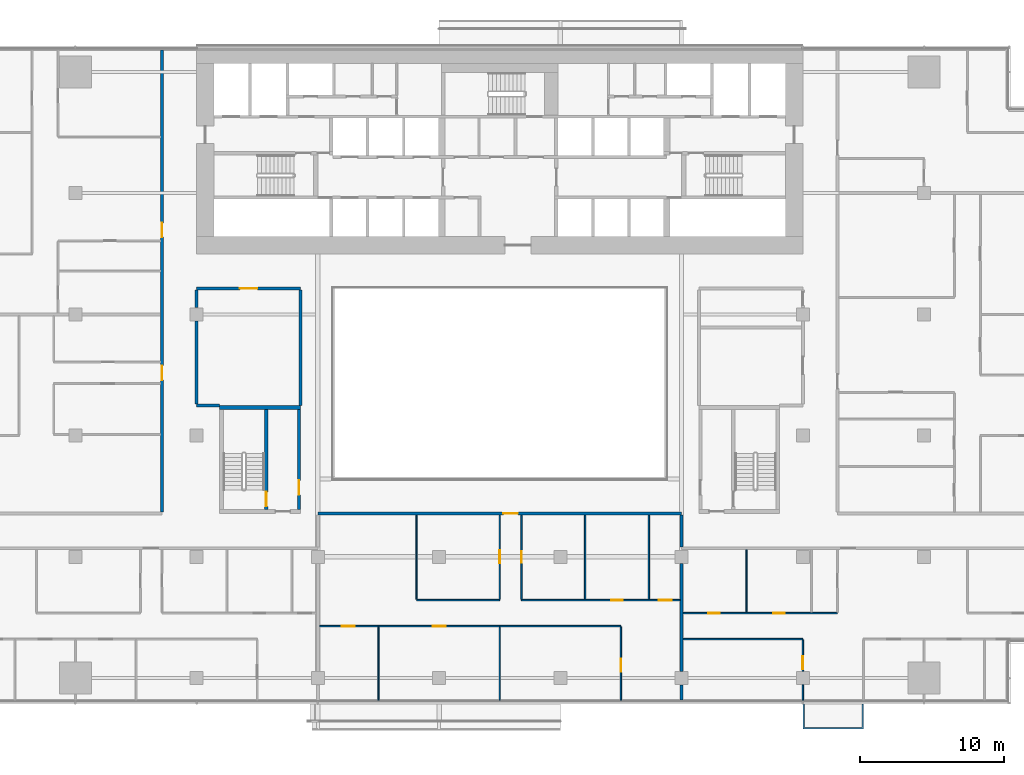
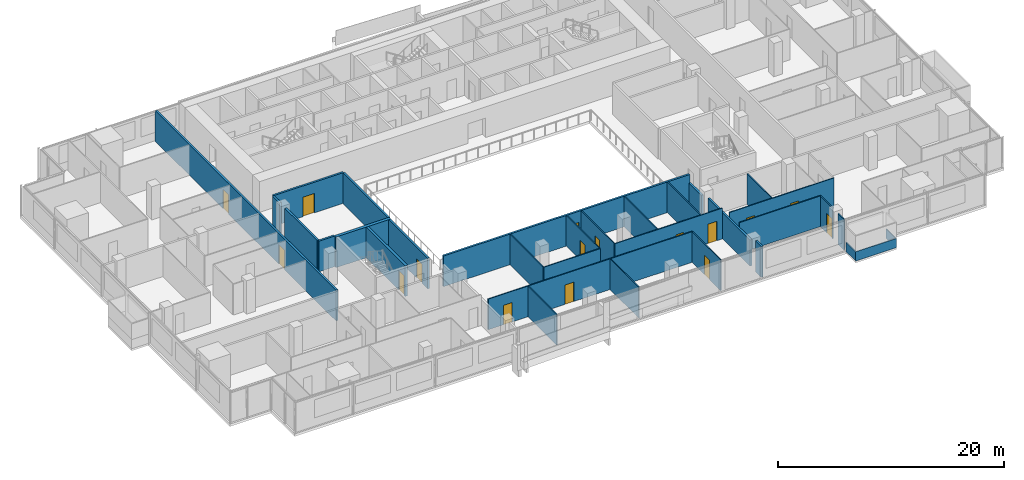
# One storey, part 18 of 26: 30 walls, 16 doors, 16 openings.
"""IFC4 building model written with IfcOpenShell, lengths in metres."""

from ifc_helpers import new_model, si_unit, direction, frame, frame_2d, origin, place, context, subcontext, project, spatial, polyline, rectangle, outline, extrude, material, layer, layer_set, type_object, element, fill, save


model = new_model("IFC4")

# Units and contexts
model_context = context("Model", 3, precision=1e-05, world=origin(), true_north=direction((0.0, 1.0)))
body_context = subcontext(model_context, "Body", "Model", "MODEL_VIEW")
ifc_project = project(units=[si_unit("LENGTHUNIT", "METRE"), si_unit("AREAUNIT", "SQUARE_METRE"), si_unit("VOLUMEUNIT", "CUBIC_METRE"), si_unit("PLANEANGLEUNIT", "RADIAN"), si_unit("MASSUNIT", "GRAM", prefix="KILO")], contexts=[model_context])

# Site, building, storey
site_placement = place(None, origin())
site = spatial("IfcSite", under=ifc_project, at=site_placement, CompositionType="ELEMENT")
building_placement = place(site_placement, origin())
building = spatial("IfcBuilding", under=site, at=building_placement, Name="Saffron Gate Tower", CompositionType="ELEMENT")
storey_placement = place(building_placement, frame((0.0, 0.0, 62.39990234375)))
storey = spatial("IfcBuildingStorey", under=building, at=storey_placement, Name="L14", CompositionType="ELEMENT", Elevation=62.39990234375)

# Wall, opening, door
ifc_material_1 = material(Name="Gypsum board partition on steel studs", Category="steel")
ifc_layer_1 = layer(ifc_material_1, 0.199951171875)
ifc_layer_set_1 = layer_set([ifc_layer_1], Name="CW10 Core partition 200")
wall_type_1 = type_object("IfcWallType", Name="CW10 Core partition 200", PredefinedType="PARTITIONING", material=ifc_layer_set_1)
wall_1_placement = place(storey_placement, frame((73.699951171875, 43.5, 0.0), z_axis=(0.0, 0.0, 1.0), x_axis=(0.0, 1.0, 0.0)))
wall_1 = element("IfcWall", 1, at=wall_1_placement, inside=storey, type_object=wall_type_1, Name="Wall CW10-L14-D-4", PredefinedType="PARTITIONING", context=body_context, shape_type="SweptSolid", body=[
    extrude(rectangle(XDim=6.89990234375, YDim=0.199951171875, at=frame_2d((3.449951171875, 0.0))), origin(), (0.0, 0.0, 1.0), 3.320068359375),
])
opening_1_placement = place(wall_1_placement, frame((1.0, 0.0, 0.0)))
opening_1 = element("IfcOpeningElement", 2, at=opening_1_placement, cuts=wall_1, Name="Opening CR-19", PredefinedType="OPENING", context=body_context, shape_type="SweptSolid", body=[
    extrude(rectangle(XDim=1.0, YDim=2.10009765625, at=frame_2d((0.5, 1.050048828125))), frame((0.0, 0.10986328125, 0.0), z_axis=(0.0, -1.0, 0.0), x_axis=(1.0, 0.0, 0.0)), (0.0, 0.0, 1.0), 0.219970703125),
])
ifc_material_2 = material(Name="Steel fire door set", Category="steel")
door_type_1 = type_object("IfcDoorType", Name="CD4 Lobby door 1000x2100 EI 120", OperationType="NOTDEFINED", PredefinedType="DOOR", material=ifc_material_2)
door_1_placement = place(opening_1_placement, origin())
door_1 = element("IfcDoor", 3, at=door_1_placement, inside=storey, type_object=door_type_1, Name="DOOR CR-19", OperationType="SINGLE_SWING_RIGHT", OverallHeight=2.10009765625, OverallWidth=1.0, PredefinedType="DOOR", context=body_context, shape_type="SweptSolid", body=[
    extrude(rectangle(XDim=1.0, YDim=2.10009765625, at=frame_2d((0.5, 1.050048828125))), frame((0.0, 0.02490234375, 0.0), z_axis=(0.0, -1.0, 0.0), x_axis=(1.0, 0.0, 0.0)), (0.0, 0.0, 1.0), 0.050048828125),
])
fill(opening_1, door_1)

ifc_material_3 = material(Name="Concrete C70", Category="concrete")
ifc_layer_2 = layer(ifc_material_3, 0.25)
ifc_layer_set_2 = layer_set([ifc_layer_2], Name="CW2 RC core wall 250 C70")
wall_type_2 = type_object("IfcWallType", Name="CW2 RC core wall 250 C70", PredefinedType="SOLIDWALL", material=ifc_layer_set_2)
wall_2_placement = place(storey_placement, frame((71.425048828125, 43.5, 0.0), z_axis=(0.0, 0.0, 1.0), x_axis=(0.0, 1.0, 0.0)))
wall_2 = element("IfcWall", 4, at=wall_2_placement, inside=storey, type_object=wall_type_2, Name="Wall CW2-L14-D-3", PredefinedType="SOLIDWALL", context=body_context, shape_type="SweptSolid", body=[
    extrude(rectangle(XDim=6.89990234375, YDim=0.25, at=frame_2d((3.449951171875, 0.0))), origin(), (0.0, 0.0, 1.0), 3.320068359375),
])
opening_2_placement = place(wall_2_placement, frame((0.199951171875, 0.0, 0.0)))
opening_2 = element("IfcOpeningElement", 5, at=opening_2_placement, cuts=wall_2, Name="Opening CR-20", PredefinedType="OPENING", context=body_context, shape_type="SweptSolid", body=[
    extrude(rectangle(XDim=1.0, YDim=2.10009765625, at=frame_2d((0.5, 1.050048828125))), frame((0.0, 0.135009765625, 0.0), z_axis=(0.0, -1.0, 0.0), x_axis=(1.0, 0.0, 0.0)), (0.0, 0.0, 1.0), 0.27001953125),
])
door_type_2 = type_object("IfcDoorType", Name="CD5 Stair door 1000x2100 EI 120", OperationType="NOTDEFINED", PredefinedType="DOOR", material=ifc_material_2)
door_2_placement = place(opening_2_placement, origin())
door_2 = element("IfcDoor", 6, at=door_2_placement, inside=storey, type_object=door_type_2, Name="DOOR CR-20", OperationType="SINGLE_SWING_LEFT", OverallHeight=2.10009765625, OverallWidth=1.0, PredefinedType="DOOR", context=body_context, shape_type="SweptSolid", body=[
    extrude(rectangle(XDim=1.0, YDim=2.10009765625, at=frame_2d((0.5, 1.050048828125))), frame((0.0, 0.02490234375, 0.0), z_axis=(0.0, -1.0, 0.0), x_axis=(1.0, 0.0, 0.0)), (0.0, 0.0, 1.0), 0.050048828125),
])
fill(opening_2, door_2)

# Walls
ifc_layer_3 = layer(ifc_material_3, 0.300048828125)
ifc_layer_set_3 = layer_set([ifc_layer_3], Name="CW5 RC core wall 300 C70")
wall_type_3 = type_object("IfcWallType", Name="CW5 RC core wall 300 C70", PredefinedType="SOLIDWALL", material=ifc_layer_set_3)
wall_3_placement = place(storey_placement, frame((68.199951171875, 50.550048828125, 0.0), z_axis=(0.0, 0.0, 1.0), x_axis=(1.0, 0.0, 0.0)))
element("IfcWall", 7, at=wall_3_placement, inside=storey, type_object=wall_type_3, Name="Wall CW5-L14-D-5", PredefinedType="SOLIDWALL", context=body_context, shape_type="SweptSolid", body=[
    extrude(rectangle(XDim=5.60009765625, YDim=0.300048828125, at=frame_2d((2.800048828125, 0.0))), origin(), (0.0, 0.0, 1.0), 3.320068359375),
])
ifc_material_4 = material(Name="Plasterboard on steel studs", Category="steel")
ifc_layer_4 = layer(ifc_material_4, 0.10009765625)
ifc_layer_set_4 = layer_set([ifc_layer_4], Name="PW1 Partition 100")
wall_type_4 = type_object("IfcWallType", Name="PW1 Partition 100", PredefinedType="PARTITIONING", material=ifc_layer_set_4)
wall_4_placement = place(storey_placement, frame((100.300048828125, 34.5, 0.0), z_axis=(0.0, 0.0, 1.0), x_axis=(1.0, 0.0, 0.0)))
element("IfcWall", 8, at=wall_4_placement, inside=storey, type_object=wall_type_4, Name="Partition A3-2", PredefinedType="PARTITIONING", context=body_context, shape_type="SweptSolid", body=[
    extrude(rectangle(XDim=8.300048828125, YDim=0.10009765625, at=frame_2d((4.14990234375, 0.0))), origin(), (0.0, 0.0, 1.0), 3.320068359375),
])

# Wall, openings, doors
wall_5_placement = place(storey_placement, frame((96.0, 35.39990234375, 0.0), z_axis=(0.0, 0.0, 1.0), x_axis=(-1.0, 0.0, 0.0)))
wall_5 = element("IfcWall", 9, at=wall_5_placement, inside=storey, type_object=wall_type_4, Name="Partition A3-4", PredefinedType="PARTITIONING", context=body_context, shape_type="SweptSolid", body=[
    extrude(rectangle(XDim=20.89990234375, YDim=0.10009765625, at=frame_2d((10.449951171875, 0.0))), origin(), (0.0, 0.0, 1.0), 3.320068359375),
])
opening_3_placement = place(wall_5_placement, frame((12.14990234375, 0.0, 0.0)))
opening_3 = element("IfcOpeningElement", 10, at=opening_3_placement, cuts=wall_5, Name="Opening A3-15", PredefinedType="OPENING", context=body_context, shape_type="SweptSolid", body=[
    extrude(rectangle(XDim=0.89990234375, YDim=2.10009765625, at=frame_2d((0.449951171875, 1.050048828125))), frame((0.0, 0.06005859375, 0.0), z_axis=(0.0, -1.0, 0.0), x_axis=(1.0, 0.0, 0.0)), (0.0, 0.0, 1.0), 0.1201171875),
])
opening_4_placement = place(wall_5_placement, frame((18.449951171875, 0.0, 0.0)))
opening_4 = element("IfcOpeningElement", 11, at=opening_4_placement, cuts=wall_5, Name="Opening A3-14", PredefinedType="OPENING", context=body_context, shape_type="SweptSolid", body=[
    extrude(rectangle(XDim=0.89990234375, YDim=2.10009765625, at=frame_2d((0.449951171875, 1.050048828125))), frame((0.0, 0.06005859375, 0.0), z_axis=(0.0, -1.0, 0.0), x_axis=(1.0, 0.0, 0.0)), (0.0, 0.0, 1.0), 0.1201171875),
])
ifc_material_5 = material(Name="Timber door set", Category="wood")
door_type_3 = type_object("IfcDoorType", Name="RD1 Room door 900x2100", OperationType="NOTDEFINED", PredefinedType="DOOR", material=ifc_material_5)
door_3_placement = place(opening_3_placement, origin())
door_3 = element("IfcDoor", 12, at=door_3_placement, inside=storey, type_object=door_type_3, Name="Door A3-15", OperationType="SINGLE_SWING_LEFT", OverallHeight=2.10009765625, OverallWidth=0.89990234375, PredefinedType="DOOR", context=body_context, shape_type="SweptSolid", body=[
    extrude(rectangle(XDim=0.89990234375, YDim=2.10009765625, at=frame_2d((0.449951171875, 1.050048828125))), frame((0.0, 0.02490234375, 0.0), z_axis=(0.0, -1.0, 0.0), x_axis=(1.0, 0.0, 0.0)), (0.0, 0.0, 1.0), 0.050048828125),
])
fill(opening_3, door_3)
door_4_placement = place(opening_4_placement, origin())
door_4 = element("IfcDoor", 13, at=door_4_placement, inside=storey, type_object=door_type_3, Name="Door A3-14", OperationType="SINGLE_SWING_RIGHT", OverallHeight=2.10009765625, OverallWidth=0.89990234375, PredefinedType="DOOR", context=body_context, shape_type="SweptSolid", body=[
    extrude(rectangle(XDim=0.89990234375, YDim=2.10009765625, at=frame_2d((0.449951171875, 1.050048828125))), frame((0.0, 0.02490234375, 0.0), z_axis=(0.0, -1.0, 0.0), x_axis=(1.0, 0.0, 0.0)), (0.0, 0.0, 1.0), 0.050048828125),
])
fill(opening_4, door_4)

wall_6_placement = place(storey_placement, frame((100.300048828125, 36.300048828125, 0.0), z_axis=(0.0, 0.0, 1.0), x_axis=(1.0, 0.0, 0.0)))
wall_6 = element("IfcWall", 14, at=wall_6_placement, inside=storey, type_object=wall_type_4, Name="Partition A3-7", PredefinedType="PARTITIONING", context=body_context, shape_type="SweptSolid", body=[
    extrude(rectangle(XDim=10.699951171875, YDim=0.10009765625, at=frame_2d((5.35009765625, 0.0))), origin(), (0.0, 0.0, 1.0), 3.320068359375),
])
opening_5_placement = place(wall_6_placement, frame((1.75, 0.0, 0.0)))
opening_5 = element("IfcOpeningElement", 15, at=opening_5_placement, cuts=wall_6, Name="Opening A3-41", PredefinedType="OPENING", context=body_context, shape_type="SweptSolid", body=[
    extrude(rectangle(XDim=0.800048828125, YDim=2.10009765625, at=frame_2d((0.39990234375, 1.050048828125))), frame((0.0, 0.06005859375, 0.0), z_axis=(0.0, -1.0, 0.0), x_axis=(1.0, 0.0, 0.0)), (0.0, 0.0, 1.0), 0.1201171875),
])
opening_6_placement = place(wall_6_placement, frame((6.25, 0.0, 0.0)))
opening_6 = element("IfcOpeningElement", 16, at=opening_6_placement, cuts=wall_6, Name="Opening A3-42", PredefinedType="OPENING", context=body_context, shape_type="SweptSolid", body=[
    extrude(rectangle(XDim=0.800048828125, YDim=2.10009765625, at=frame_2d((0.39990234375, 1.050048828125))), frame((0.0, 0.06005859375, 0.0), z_axis=(0.0, -1.0, 0.0), x_axis=(1.0, 0.0, 0.0)), (0.0, 0.0, 1.0), 0.1201171875),
])
door_type_4 = type_object("IfcDoorType", Name="RD2 Bathroom door 800x2100", OperationType="NOTDEFINED", PredefinedType="DOOR", material=ifc_material_5)
door_5_placement = place(opening_5_placement, origin())
door_5 = element("IfcDoor", 17, at=door_5_placement, inside=storey, type_object=door_type_4, Name="Door A3-41", OperationType="SINGLE_SWING_LEFT", OverallHeight=2.10009765625, OverallWidth=0.800048828125, PredefinedType="DOOR", context=body_context, shape_type="SweptSolid", body=[
    extrude(rectangle(XDim=0.800048828125, YDim=2.10009765625, at=frame_2d((0.39990234375, 1.050048828125))), frame((0.0, 0.02490234375, 0.0), z_axis=(0.0, -1.0, 0.0), x_axis=(1.0, 0.0, 0.0)), (0.0, 0.0, 1.0), 0.050048828125),
])
fill(opening_5, door_5)
door_6_placement = place(opening_6_placement, origin())
door_6 = element("IfcDoor", 18, at=door_6_placement, inside=storey, type_object=door_type_4, Name="Door A3-42", OperationType="SINGLE_SWING_RIGHT", OverallHeight=2.10009765625, OverallWidth=0.800048828125, PredefinedType="DOOR", context=body_context, shape_type="SweptSolid", body=[
    extrude(rectangle(XDim=0.800048828125, YDim=2.10009765625, at=frame_2d((0.39990234375, 1.050048828125))), frame((0.0, 0.02490234375, 0.0), z_axis=(0.0, -1.0, 0.0), x_axis=(1.0, 0.0, 0.0)), (0.0, 0.0, 1.0), 0.050048828125),
])
fill(opening_6, door_6)

# Wall
wall_7_placement = place(storey_placement, frame((81.833251953125, 37.199951171875, 0.0), z_axis=(0.0, 0.0, 1.0), x_axis=(1.0, 0.0, 0.0)))
element("IfcWall", 19, at=wall_7_placement, inside=storey, type_object=wall_type_4, Name="Partition A3-9", PredefinedType="PARTITIONING", context=body_context, shape_type="SweptSolid", body=[
    extrude(rectangle(XDim=5.766845703125, YDim=0.10009765625, at=frame_2d((2.88330078125, 0.0))), origin(), (0.0, 0.0, 1.0), 3.320068359375),
])

# Wall, openings, doors
wall_8_placement = place(storey_placement, frame((89.10009765625, 37.199951171875, 0.0), z_axis=(0.0, 0.0, 1.0), x_axis=(1.0, 0.0, 0.0)))
wall_8 = element("IfcWall", 20, at=wall_8_placement, inside=storey, type_object=wall_type_4, Name="Partition A3-10", PredefinedType="PARTITIONING", context=body_context, shape_type="SweptSolid", body=[
    extrude(rectangle(XDim=11.0, YDim=0.10009765625, at=frame_2d((5.5, 0.0))), origin(), (0.0, 0.0, 1.0), 3.320068359375),
])
opening_7_placement = place(wall_8_placement, frame((6.22509765625, 0.0, 0.0)))
opening_7 = element("IfcOpeningElement", 21, at=opening_7_placement, cuts=wall_8, Name="Opening A3-40", PredefinedType="OPENING", context=body_context, shape_type="SweptSolid", body=[
    extrude(rectangle(XDim=0.800048828125, YDim=2.10009765625, at=frame_2d((0.39990234375, 1.050048828125))), frame((0.0, 0.06005859375, 0.0), z_axis=(0.0, -1.0, 0.0), x_axis=(1.0, 0.0, 0.0)), (0.0, 0.0, 1.0), 0.1201171875),
])
opening_8_placement = place(wall_8_placement, frame((9.5166015625, 0.0, 0.0)))
opening_8 = element("IfcOpeningElement", 22, at=opening_8_placement, cuts=wall_8, Name="Opening A3-18", PredefinedType="OPENING", context=body_context, shape_type="SweptSolid", body=[
    extrude(rectangle(XDim=0.89990234375, YDim=2.10009765625, at=frame_2d((0.449951171875, 1.050048828125))), frame((0.0, 0.06005859375, 0.0), z_axis=(0.0, -1.0, 0.0), x_axis=(1.0, 0.0, 0.0)), (0.0, 0.0, 1.0), 0.1201171875),
])
door_7_placement = place(opening_8_placement, origin())
door_7 = element("IfcDoor", 23, at=door_7_placement, inside=storey, type_object=door_type_3, Name="Door A3-18", OperationType="SINGLE_SWING_RIGHT", OverallHeight=2.10009765625, OverallWidth=0.89990234375, PredefinedType="DOOR", context=body_context, shape_type="SweptSolid", body=[
    extrude(rectangle(XDim=0.89990234375, YDim=2.10009765625, at=frame_2d((0.449951171875, 1.050048828125))), frame((0.0, 0.02490234375, 0.0), z_axis=(0.0, -1.0, 0.0), x_axis=(1.0, 0.0, 0.0)), (0.0, 0.0, 1.0), 0.050048828125),
])
fill(opening_8, door_7)
door_8_placement = place(opening_7_placement, origin())
door_8 = element("IfcDoor", 24, at=door_8_placement, inside=storey, type_object=door_type_4, Name="Door A3-40", OperationType="SINGLE_SWING_RIGHT", OverallHeight=2.10009765625, OverallWidth=0.800048828125, PredefinedType="DOOR", context=body_context, shape_type="SweptSolid", body=[
    extrude(rectangle(XDim=0.800048828125, YDim=2.10009765625, at=frame_2d((0.39990234375, 1.050048828125))), frame((0.0, 0.02490234375, 0.0), z_axis=(0.0, -1.0, 0.0), x_axis=(1.0, 0.0, 0.0)), (0.0, 0.0, 1.0), 0.050048828125),
])
fill(opening_7, door_8)

# Walls
wall_9_placement = place(storey_placement, frame((79.199951171875, 35.35009765625, 0.0), z_axis=(0.0, 0.0, 1.0), x_axis=(0.0, -1.0, 0.0)))
element("IfcWall", 25, at=wall_9_placement, inside=storey, type_object=wall_type_4, Name="Partition A3-74", PredefinedType="PARTITIONING", context=body_context, shape_type="SweptSolid", body=[
    extrude(rectangle(XDim=5.070068359375, YDim=0.10009765625, at=frame_2d((2.53515625, 0.0))), origin(), (0.0, 0.0, 1.0), 3.320068359375),
])
wall_10_placement = place(storey_placement, frame((81.833251953125, 43.10009765625, 0.0), z_axis=(0.0, 0.0, 1.0), x_axis=(0.0, -1.0, 0.0)))
element("IfcWall", 26, at=wall_10_placement, inside=storey, type_object=wall_type_4, Name="Partition A3-75", PredefinedType="PARTITIONING", context=body_context, shape_type="SweptSolid", body=[
    extrude(rectangle(XDim=5.85009765625, YDim=0.10009765625, at=frame_2d((2.925048828125, 0.0))), origin(), (0.0, 0.0, 1.0), 3.320068359375),
])
wall_11_placement = place(storey_placement, frame((87.60009765625, 35.35009765625, 0.0), z_axis=(0.0, 0.0, 1.0), x_axis=(0.0, -1.0, 0.0)))
element("IfcWall", 27, at=wall_11_placement, inside=storey, type_object=wall_type_4, Name="Partition A3-76", PredefinedType="PARTITIONING", context=body_context, shape_type="SweptSolid", body=[
    extrude(rectangle(XDim=5.070068359375, YDim=0.10009765625, at=frame_2d((2.53515625, 0.0))), origin(), (0.0, 0.0, 1.0), 3.320068359375),
])

# Wall, opening, door
wall_12_placement = place(storey_placement, frame((87.60009765625, 37.25, 0.0), z_axis=(0.0, 0.0, 1.0), x_axis=(0.0, 1.0, 0.0)))
wall_12 = element("IfcWall", 28, at=wall_12_placement, inside=storey, type_object=wall_type_4, Name="Partition A3-77", PredefinedType="PARTITIONING", context=body_context, shape_type="SweptSolid", body=[
    extrude(rectangle(XDim=5.85009765625, YDim=0.10009765625, at=frame_2d((2.925048828125, 0.0))), origin(), (0.0, 0.0, 1.0), 3.320068359375),
])
opening_9_placement = place(wall_12_placement, frame((2.5, 0.0, 0.0)))
opening_9 = element("IfcOpeningElement", 29, at=opening_9_placement, cuts=wall_12, Name="Opening A3-17", PredefinedType="OPENING", context=body_context, shape_type="SweptSolid", body=[
    extrude(rectangle(XDim=0.89990234375, YDim=2.10009765625, at=frame_2d((0.449951171875, 1.050048828125))), frame((0.0, 0.06005859375, 0.0), z_axis=(0.0, -1.0, 0.0), x_axis=(1.0, 0.0, 0.0)), (0.0, 0.0, 1.0), 0.1201171875),
])
door_9_placement = place(opening_9_placement, origin())
door_9 = element("IfcDoor", 30, at=door_9_placement, inside=storey, type_object=door_type_3, Name="Door A3-17", OperationType="SINGLE_SWING_RIGHT", OverallHeight=2.10009765625, OverallWidth=0.89990234375, PredefinedType="DOOR", context=body_context, shape_type="SweptSolid", body=[
    extrude(rectangle(XDim=0.89990234375, YDim=2.10009765625, at=frame_2d((0.449951171875, 1.050048828125))), frame((0.0, 0.02490234375, 0.0), z_axis=(0.0, -1.0, 0.0), x_axis=(1.0, 0.0, 0.0)), (0.0, 0.0, 1.0), 0.050048828125),
])
fill(opening_9, door_9)

wall_13_placement = place(storey_placement, frame((89.10009765625, 43.10009765625, 0.0), z_axis=(0.0, 0.0, 1.0), x_axis=(0.0, -1.0, 0.0)))
wall_13 = element("IfcWall", 31, at=wall_13_placement, inside=storey, type_object=wall_type_4, Name="Partition A3-78", PredefinedType="PARTITIONING", context=body_context, shape_type="SweptSolid", body=[
    extrude(rectangle(XDim=5.85009765625, YDim=0.10009765625, at=frame_2d((2.925048828125, 0.0))), origin(), (0.0, 0.0, 1.0), 3.320068359375),
])
opening_10_placement = place(wall_13_placement, frame((2.5, 0.0, 0.0)))
opening_10 = element("IfcOpeningElement", 32, at=opening_10_placement, cuts=wall_13, Name="Opening A3-39", PredefinedType="OPENING", context=body_context, shape_type="SweptSolid", body=[
    extrude(rectangle(XDim=0.800048828125, YDim=2.10009765625, at=frame_2d((0.39990234375, 1.050048828125))), frame((0.0, 0.06005859375, 0.0), z_axis=(0.0, -1.0, 0.0), x_axis=(1.0, 0.0, 0.0)), (0.0, 0.0, 1.0), 0.1201171875),
])
door_10_placement = place(opening_10_placement, origin())
door_10 = element("IfcDoor", 33, at=door_10_placement, inside=storey, type_object=door_type_4, Name="Door A3-39", OperationType="SINGLE_SWING_LEFT", OverallHeight=2.10009765625, OverallWidth=0.800048828125, PredefinedType="DOOR", context=body_context, shape_type="SweptSolid", body=[
    extrude(rectangle(XDim=0.800048828125, YDim=2.10009765625, at=frame_2d((0.39990234375, 1.050048828125))), frame((0.0, 0.02490234375, 0.0), z_axis=(0.0, -1.0, 0.0), x_axis=(1.0, 0.0, 0.0)), (0.0, 0.0, 1.0), 0.050048828125),
])
fill(opening_10, door_10)

# Wall
wall_14_placement = place(storey_placement, frame((93.5166015625, 43.10009765625, 0.0), z_axis=(0.0, 0.0, 1.0), x_axis=(0.0, -1.0, 0.0)))
element("IfcWall", 34, at=wall_14_placement, inside=storey, type_object=wall_type_4, Name="Partition A3-79", PredefinedType="PARTITIONING", context=body_context, shape_type="SweptSolid", body=[
    extrude(rectangle(XDim=5.85009765625, YDim=0.10009765625, at=frame_2d((2.925048828125, 0.0))), origin(), (0.0, 0.0, 1.0), 3.320068359375),
])

# Wall, opening, door
wall_15_placement = place(storey_placement, frame((96.0, 30.280029296875, 0.0), z_axis=(0.0, 0.0, 1.0), x_axis=(0.0, 1.0, 0.0)))
wall_15 = element("IfcWall", 35, at=wall_15_placement, inside=storey, type_object=wall_type_4, Name="Partition A3-80", PredefinedType="PARTITIONING", context=body_context, shape_type="SweptSolid", body=[
    extrude(rectangle(XDim=5.070068359375, YDim=0.10009765625, at=frame_2d((2.53515625, 0.0))), origin(), (0.0, 0.0, 1.0), 3.320068359375),
])
opening_11_placement = place(wall_15_placement, frame((1.969970703125, 0.0, 0.0)))
opening_11 = element("IfcOpeningElement", 36, at=opening_11_placement, cuts=wall_15, Name="Opening A3-16", PredefinedType="OPENING", context=body_context, shape_type="SweptSolid", body=[
    extrude(rectangle(XDim=0.89990234375, YDim=2.10009765625, at=frame_2d((0.449951171875, 1.050048828125))), frame((0.0, 0.06005859375, 0.0), z_axis=(0.0, -1.0, 0.0), x_axis=(1.0, 0.0, 0.0)), (0.0, 0.0, 1.0), 0.1201171875),
])
door_11_placement = place(opening_11_placement, origin())
door_11 = element("IfcDoor", 37, at=door_11_placement, inside=storey, type_object=door_type_3, Name="Door A3-16", OperationType="SINGLE_SWING_LEFT", OverallHeight=2.10009765625, OverallWidth=0.89990234375, PredefinedType="DOOR", context=body_context, shape_type="SweptSolid", body=[
    extrude(rectangle(XDim=0.89990234375, YDim=2.10009765625, at=frame_2d((0.449951171875, 1.050048828125))), frame((0.0, 0.02490234375, 0.0), z_axis=(0.0, -1.0, 0.0), x_axis=(1.0, 0.0, 0.0)), (0.0, 0.0, 1.0), 0.050048828125),
])
fill(opening_11, door_11)

# Walls
wall_16_placement = place(storey_placement, frame((97.933349609375, 43.10009765625, 0.0), z_axis=(0.0, 0.0, 1.0), x_axis=(0.0, -1.0, 0.0)))
element("IfcWall", 38, at=wall_16_placement, inside=storey, type_object=wall_type_4, Name="Partition A3-81", PredefinedType="PARTITIONING", context=body_context, shape_type="SweptSolid", body=[
    extrude(rectangle(XDim=5.85009765625, YDim=0.10009765625, at=frame_2d((2.925048828125, 0.0))), origin(), (0.0, 0.0, 1.0), 3.320068359375),
])
wall_17_placement = place(storey_placement, frame((104.699951171875, 40.699951171875, 0.0), z_axis=(0.0, 0.0, 1.0), x_axis=(0.0, -1.0, 0.0)))
element("IfcWall", 39, at=wall_17_placement, inside=storey, type_object=wall_type_4, Name="Partition A3-86", PredefinedType="PARTITIONING", context=body_context, shape_type="SweptSolid", body=[
    extrude(rectangle(XDim=4.349853515625, YDim=0.10009765625, at=frame_2d((2.1748046875, 0.0))), origin(), (0.0, 0.0, 1.0), 3.320068359375),
])
wall_18_placement = place(storey_placement, frame((108.60009765625, 31.330078125, 0.0), z_axis=(0.0, 0.0, 1.0), x_axis=(0.0, -1.0, 0.0)))
element("IfcWall", 40, at=wall_18_placement, inside=storey, type_object=wall_type_4, Name="Partition A3-89", PredefinedType="PARTITIONING", context=body_context, shape_type="SweptSolid", body=[
    extrude(rectangle(XDim=1.050048828125, YDim=0.10009765625, at=frame_2d((0.52490234375, 0.0))), origin(), (0.0, 0.0, 1.0), 3.320068359375),
])

# Wall, opening, door
wall_19_placement = place(storey_placement, frame((108.60009765625, 32.27001953125, 0.0), z_axis=(0.0, 0.0, 1.0), x_axis=(0.0, 1.0, 0.0)))
wall_19 = element("IfcWall", 41, at=wall_19_placement, inside=storey, type_object=wall_type_4, Name="Partition A3-90", PredefinedType="PARTITIONING", context=body_context, shape_type="SweptSolid", body=[
    extrude(rectangle(XDim=2.179931640625, YDim=0.10009765625, at=frame_2d((1.08984375, 0.0))), origin(), (0.0, 0.0, 1.0), 3.320068359375),
])
opening_12_placement = place(wall_19_placement, frame((0.14990234375, 0.0, 0.0)))
opening_12 = element("IfcOpeningElement", 42, at=opening_12_placement, cuts=wall_19, Name="Opening A3-19", PredefinedType="OPENING", context=body_context, shape_type="SweptSolid", body=[
    extrude(rectangle(XDim=0.89990234375, YDim=2.10009765625, at=frame_2d((0.449951171875, 1.050048828125))), frame((0.0, 0.06005859375, 0.0), z_axis=(0.0, -1.0, 0.0), x_axis=(1.0, 0.0, 0.0)), (0.0, 0.0, 1.0), 0.1201171875),
])
door_12_placement = place(opening_12_placement, origin())
door_12 = element("IfcDoor", 43, at=door_12_placement, inside=storey, type_object=door_type_3, Name="Door A3-19", OperationType="SINGLE_SWING_LEFT", OverallHeight=2.10009765625, OverallWidth=0.89990234375, PredefinedType="DOOR", context=body_context, shape_type="SweptSolid", body=[
    extrude(rectangle(XDim=0.89990234375, YDim=2.10009765625, at=frame_2d((0.449951171875, 1.050048828125))), frame((0.0, 0.02490234375, 0.0), z_axis=(0.0, -1.0, 0.0), x_axis=(1.0, 0.0, 0.0)), (0.0, 0.0, 1.0), 0.050048828125),
])
fill(opening_12, door_12)

# Walls
ifc_material_6 = material(Name="Clay brick masonry, rendered", Category="masonry")
ifc_layer_5 = layer(ifc_material_6, 0.199951171875)
ifc_layer_set_5 = layer_set([ifc_layer_5], Name="PW2 Demising wall 200")
wall_type_5 = type_object("IfcWallType", Name="PW2 Demising wall 200", PredefinedType="PARTITIONING", material=ifc_layer_set_5)
wall_20_placement = place(storey_placement, frame((100.199951171875, 31.330078125, 0.0), z_axis=(0.0, 0.0, 1.0), x_axis=(0.0, -1.0, 0.0)))
element("IfcWall", 44, at=wall_20_placement, inside=storey, type_object=wall_type_5, Name="Wall A3-83", PredefinedType="PARTITIONING", context=body_context, shape_type="SweptSolid", body=[
    extrude(rectangle(XDim=1.050048828125, YDim=0.199951171875, at=frame_2d((0.52490234375, 0.0))), origin(), (0.0, 0.0, 1.0), 3.320068359375),
])
wall_21_placement = place(storey_placement, frame((100.199951171875, 39.72998046875, 0.0), z_axis=(0.0, 0.0, 1.0), x_axis=(0.0, -1.0, 0.0)))
element("IfcWall", 45, at=wall_21_placement, inside=storey, type_object=wall_type_5, Name="Wall A3-84", PredefinedType="PARTITIONING", context=body_context, shape_type="SweptSolid", body=[
    extrude(rectangle(XDim=7.4599609375, YDim=0.199951171875, at=frame_2d((3.72998046875, 0.0))), origin(), (0.0, 0.0, 1.0), 2.830078125),
])

# Wall, opening, door
ifc_layer_6 = layer(ifc_material_6, 0.199951171875)
ifc_layer_set_6 = layer_set([ifc_layer_6], Name="PW3 Corridor wall 200")
wall_type_6 = type_object("IfcWallType", Name="PW3 Corridor wall 200", PredefinedType="PARTITIONING", material=ifc_layer_set_6)
wall_22_placement = place(storey_placement, frame((100.199951171875, 43.199951171875, 0.0), z_axis=(0.0, 0.0, 1.0), x_axis=(-1.0, 0.0, 0.0)))
wall_22 = element("IfcWall", 46, at=wall_22_placement, inside=storey, type_object=wall_type_6, Name="Wall A3-16", PredefinedType="PARTITIONING", context=body_context, shape_type="SweptSolid", body=[
    extrude(rectangle(XDim=25.199951171875, YDim=0.199951171875, at=frame_2d((12.60009765625, 0.0))), origin(), (0.0, 0.0, 1.0), 3.320068359375),
])
opening_13_placement = place(wall_22_placement, frame((11.35009765625, 0.0, 0.0)))
opening_13 = element("IfcOpeningElement", 47, at=opening_13_placement, cuts=wall_22, Name="Opening A3-2", PredefinedType="OPENING", context=body_context, shape_type="SweptSolid", body=[
    extrude(rectangle(XDim=1.0, YDim=2.10009765625, at=frame_2d((0.5, 1.050048828125))), frame((0.0, 0.10986328125, 0.0), z_axis=(0.0, -1.0, 0.0), x_axis=(1.0, 0.0, 0.0)), (0.0, 0.0, 1.0), 0.219970703125),
])
ifc_material_7 = material(Name="Timber fire door set", Category="wood")
door_type_5 = type_object("IfcDoorType", Name="FD1 Flat entry door 1000x2100", OperationType="NOTDEFINED", PredefinedType="DOOR", material=ifc_material_7)
door_13_placement = place(opening_13_placement, origin())
door_13 = element("IfcDoor", 48, at=door_13_placement, inside=storey, type_object=door_type_5, Name="Door A3-2", OperationType="SINGLE_SWING_RIGHT", OverallHeight=2.10009765625, OverallWidth=1.0, PredefinedType="DOOR", context=body_context, shape_type="SweptSolid", body=[
    extrude(rectangle(XDim=1.0, YDim=2.10009765625, at=frame_2d((0.5, 1.050048828125))), frame((0.0, 0.02490234375, 0.0), z_axis=(0.0, -1.0, 0.0), x_axis=(1.0, 0.0, 0.0)), (0.0, 0.0, 1.0), 0.050048828125),
])
fill(opening_13, door_13)

# Wall
wall_23_placement = place(storey_placement, frame((66.60009765625, 50.699951171875, 0.0), z_axis=(0.0, 0.0, 1.0), x_axis=(1.0, 0.0, 0.0)))
element("IfcWall", 49, at=wall_23_placement, inside=storey, type_object=wall_type_6, Name="Wall A3-26", PredefinedType="PARTITIONING", context=body_context, shape_type="SweptSolid", body=[
    extrude(rectangle(XDim=1.599853515625, YDim=0.199951171875, at=frame_2d((0.7998046875, 0.0))), origin(), (0.0, 0.0, 1.0), 3.320068359375),
])

# Wall, opening, door
wall_24_placement = place(storey_placement, frame((73.800048828125, 58.800048828125, 0.0), z_axis=(0.0, 0.0, 1.0), x_axis=(-1.0, 0.0, 0.0)))
wall_24 = element("IfcWall", 50, at=wall_24_placement, inside=storey, type_object=wall_type_6, Name="Wall A3-39", PredefinedType="PARTITIONING", context=body_context, shape_type="SweptSolid", body=[
    extrude(rectangle(XDim=7.199951171875, YDim=0.199951171875, at=frame_2d((3.60009765625, 0.0))), origin(), (0.0, 0.0, 1.0), 3.320068359375),
])
opening_14_placement = place(wall_24_placement, frame((3.0, 0.0, 0.0)))
opening_14 = element("IfcOpeningElement", 51, at=opening_14_placement, cuts=wall_24, Name="Opening A3-50", PredefinedType="OPENING", context=body_context, shape_type="SweptSolid", body=[
    extrude(rectangle(XDim=1.199951171875, YDim=2.10009765625, at=frame_2d((0.60009765625, 1.050048828125))), frame((0.0, 0.10986328125, 0.0), z_axis=(0.0, -1.0, 0.0), x_axis=(1.0, 0.0, 0.0)), (0.0, 0.0, 1.0), 0.219970703125),
])
door_type_6 = type_object("IfcDoorType", Name="HD1 Hall door 1200x2100", OperationType="NOTDEFINED", PredefinedType="DOOR", material=ifc_material_5)
door_14_placement = place(opening_14_placement, origin())
door_14 = element("IfcDoor", 52, at=door_14_placement, inside=storey, type_object=door_type_6, Name="Door A3-50", OperationType="SINGLE_SWING_LEFT", OverallHeight=2.10009765625, OverallWidth=1.199951171875, PredefinedType="DOOR", context=body_context, shape_type="SweptSolid", body=[
    extrude(rectangle(XDim=1.199951171875, YDim=2.10009765625, at=frame_2d((0.60009765625, 1.050048828125))), frame((0.0, 0.02490234375, 0.0), z_axis=(0.0, -1.0, 0.0), x_axis=(1.0, 0.0, 0.0)), (0.0, 0.0, 1.0), 0.050048828125),
])
fill(opening_14, door_14)

# Wall, openings, doors
wall_25_placement = place(storey_placement, frame((64.199951171875, 43.300048828125, 0.0), z_axis=(0.0, 0.0, 1.0), x_axis=(0.0, 1.0, 0.0)))
wall_25 = element("IfcWall", 53, at=wall_25_placement, inside=storey, type_object=wall_type_6, Name="Wall A3-63", PredefinedType="PARTITIONING", context=body_context, shape_type="SweptSolid", body=[
    extrude(rectangle(XDim=32.02001953125, YDim=0.199951171875, at=frame_2d((16.010009765625, 0.0))), origin(), (0.0, 0.0, 1.0), 3.320068359375),
])
opening_15_placement = place(wall_25_placement, frame((9.14990234375, 0.0, 0.0)))
opening_15 = element("IfcOpeningElement", 54, at=opening_15_placement, cuts=wall_25, Name="Opening A3-4", PredefinedType="OPENING", context=body_context, shape_type="SweptSolid", body=[
    extrude(rectangle(XDim=1.0, YDim=2.10009765625, at=frame_2d((0.5, 1.050048828125))), frame((0.0, 0.10986328125, 0.0), z_axis=(0.0, -1.0, 0.0), x_axis=(1.0, 0.0, 0.0)), (0.0, 0.0, 1.0), 0.219970703125),
])
opening_16_placement = place(wall_25_placement, frame((19.050048828125, 0.0, 0.0)))
opening_16 = element("IfcOpeningElement", 55, at=opening_16_placement, cuts=wall_25, Name="Opening A3-5", PredefinedType="OPENING", context=body_context, shape_type="SweptSolid", body=[
    extrude(rectangle(XDim=1.0, YDim=2.10009765625, at=frame_2d((0.5, 1.050048828125))), frame((0.0, 0.10986328125, 0.0), z_axis=(0.0, -1.0, 0.0), x_axis=(1.0, 0.0, 0.0)), (0.0, 0.0, 1.0), 0.219970703125),
])
door_15_placement = place(opening_15_placement, origin())
door_15 = element("IfcDoor", 56, at=door_15_placement, inside=storey, type_object=door_type_5, Name="Door A3-4", OperationType="SINGLE_SWING_RIGHT", OverallHeight=2.10009765625, OverallWidth=1.0, PredefinedType="DOOR", context=body_context, shape_type="SweptSolid", body=[
    extrude(rectangle(XDim=1.0, YDim=2.10009765625, at=frame_2d((0.5, 1.050048828125))), frame((0.0, 0.02490234375, 0.0), z_axis=(0.0, -1.0, 0.0), x_axis=(1.0, 0.0, 0.0)), (0.0, 0.0, 1.0), 0.050048828125),
])
fill(opening_15, door_15)
door_16_placement = place(opening_16_placement, origin())
door_16 = element("IfcDoor", 57, at=door_16_placement, inside=storey, type_object=door_type_5, Name="Door A3-5", OperationType="SINGLE_SWING_RIGHT", OverallHeight=2.10009765625, OverallWidth=1.0, PredefinedType="DOOR", context=body_context, shape_type="SweptSolid", body=[
    extrude(rectangle(XDim=1.0, YDim=2.10009765625, at=frame_2d((0.5, 1.050048828125))), frame((0.0, 0.02490234375, 0.0), z_axis=(0.0, -1.0, 0.0), x_axis=(1.0, 0.0, 0.0)), (0.0, 0.0, 1.0), 0.050048828125),
])
fill(opening_16, door_16)

# Walls
wall_26_placement = place(storey_placement, frame((66.60009765625, 56.530029296875, 0.0), z_axis=(0.0, 0.0, 1.0), x_axis=(0.0, -1.0, 0.0)))
element("IfcWall", 58, at=wall_26_placement, inside=storey, type_object=wall_type_6, Name="Wall A3-65", PredefinedType="PARTITIONING", context=body_context, shape_type="SweptSolid", body=[
    extrude(rectangle(XDim=5.72998046875, YDim=0.199951171875, at=frame_2d((2.864990234375, 0.0))), origin(), (0.0, 0.0, 1.0), 3.320068359375),
])
wall_27_placement = place(storey_placement, frame((66.60009765625, 58.699951171875, 0.0), z_axis=(0.0, 0.0, 1.0), x_axis=(0.0, -1.0, 0.0)))
element("IfcWall", 59, at=wall_27_placement, inside=storey, type_object=wall_type_6, Name="Wall A3-66", PredefinedType="PARTITIONING", context=body_context, shape_type="SweptSolid", body=[
    extrude(rectangle(XDim=1.22998046875, YDim=0.199951171875, at=frame_2d((0.614990234375, 0.0))), origin(), (0.0, 0.0, 1.0), 3.320068359375),
])
wall_28_placement = place(storey_placement, frame((73.800048828125, 58.699951171875, 0.0), z_axis=(0.0, 0.0, 1.0), x_axis=(0.0, -1.0, 0.0)))
element("IfcWall", 60, at=wall_28_placement, inside=storey, type_object=wall_type_6, Name="Wall A3-70", PredefinedType="PARTITIONING", context=body_context, shape_type="SweptSolid", body=[
    extrude(rectangle(XDim=8.0, YDim=0.199951171875, at=frame_2d((4.0, 0.0))), origin(), (0.0, 0.0, 1.0), 3.320068359375),
])
wall_29_placement = place(storey_placement, frame((100.199951171875, 43.10009765625, 0.0), z_axis=(0.0, 0.0, 1.0), x_axis=(0.0, -1.0, 0.0)))
element("IfcWall", 61, at=wall_29_placement, inside=storey, type_object=wall_type_6, Name="Wall A3-82", PredefinedType="PARTITIONING", context=body_context, shape_type="SweptSolid", body=[
    extrude(rectangle(XDim=2.2001953125, YDim=0.199951171875, at=frame_2d((1.10009765625, 0.0))), origin(), (0.0, 0.0, 1.0), 2.43017578125),
])
ifc_material_8 = material(Name="Rendered insulated panel, white")
ifc_layer_7 = layer(ifc_material_8, 0.10009765625)
ifc_layer_set_7 = layer_set([ifc_layer_7], Name="WB3 box parapet white")
wall_type_7 = type_object("IfcWallType", Name="WB3 box parapet white", PredefinedType="SOLIDWALL", material=ifc_layer_set_7)
wall_30_placement = place(storey_placement, origin())
element("IfcWall", 62, at=wall_30_placement, inside=storey, type_object=wall_type_7, Name="WINDOW BOX parapet", PredefinedType="SOLIDWALL", context=body_context, shape_type="SweptSolid", body=[
    extrude(outline(polyline([(108.60009765625, 30.0), (108.699951171875, 30.0), (108.699951171875, 28.366943359375), (112.699951171875, 28.366943359375), (112.699951171875, 30.0), (112.800048828125, 30.0), (112.800048828125, 28.26708984375), (108.60009765625, 28.26708984375), (108.60009765625, 30.0)])), origin(), (0.0, 0.0, 1.0), 1.0),
])

save(model, "model.ifc")
